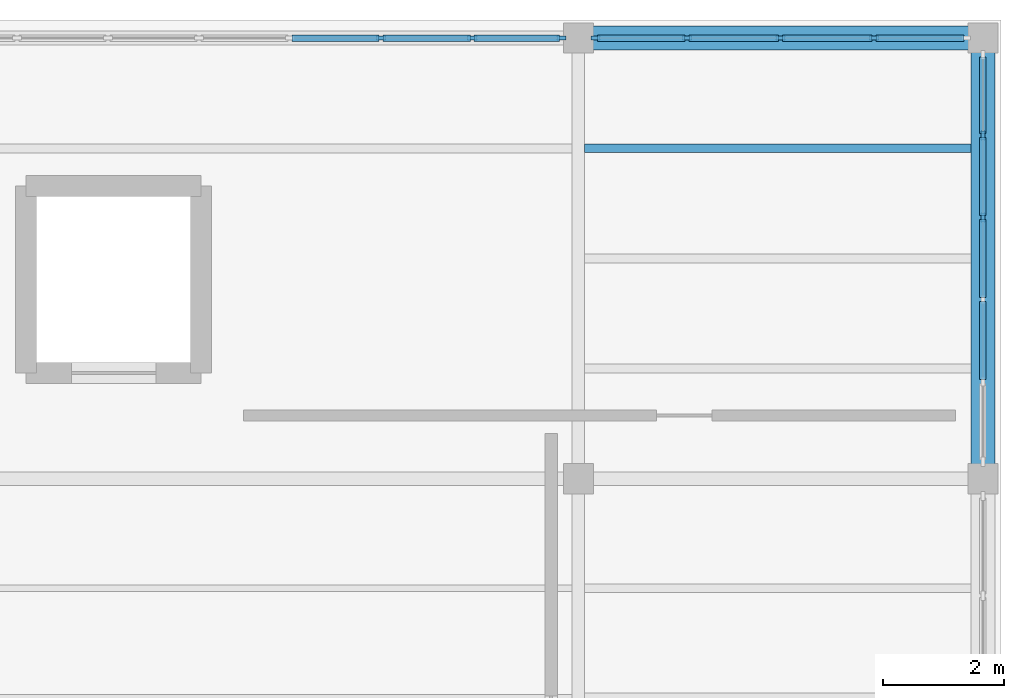
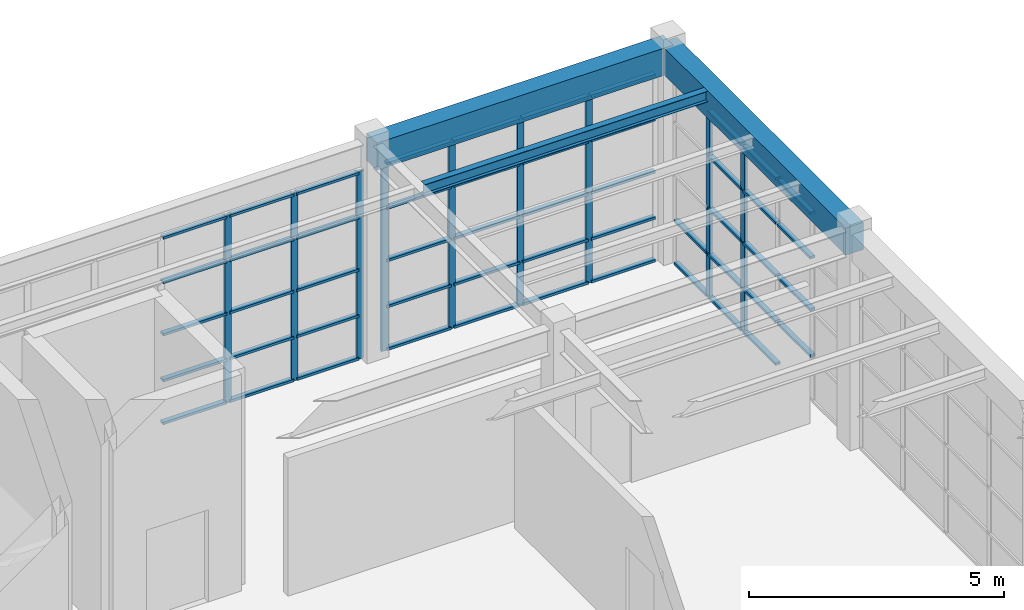
# One storey, part 60 of 103: 60 members, 3 beams, 3 elements without a shape of their own.
"""IFC4 building model written with IfcOpenShell, lengths in metres."""

import ifcopenshell
import ifcopenshell.guid

model = None  # the IFC model being written
_history = None  # IfcOwnerHistory: only IFC2X3 demands one
_inside = {}  # id of a spatial element -> (the spatial element, [elements in it])
_under = {}  # id of a project, library or spatial element -> (it, [spatial elements below it])
_declared = {}  # id of a project -> (the project, [libraries it declares])
_typed = {}  # id of a type object -> (the type object, [elements of that type])
_made_of = {}  # id of a material, layer set ... -> (it, [elements and type objects made of it])


def new_model(schema):
    """Start an empty IFC model of exactly this schema.

    Asked for "IFC4X3", IfcOpenShell would pick the latest addendum, in which some entities
    have other attributes; the version numbers below select the first issue.
    IFC2X3 requires an IfcOwnerHistory on every rooted entity: one is made here for all.
    """
    global model, _history
    if schema == "IFC4X3":
        model = ifcopenshell.file(schema_version=(4, 3, 0, 0))
    else:
        model = ifcopenshell.file(schema=schema)
    _inside.clear()
    _under.clear()
    _declared.clear()
    _typed.clear()
    _made_of.clear()
    _history = None
    if model.schema == "IFC2X3":
        org = make("IfcOrganization", Name="unknown")
        user = make(
            "IfcPersonAndOrganization",
            ThePerson=make("IfcPerson", FamilyName="unknown"),
            TheOrganization=org,
        )
        app = make(
            "IfcApplication",
            ApplicationDeveloper=org,
            Version="unknown",
            ApplicationFullName="unknown",
            ApplicationIdentifier="unknown",
        )
        _history = make(
            "IfcOwnerHistory",
            OwningUser=user,
            OwningApplication=app,
            ChangeAction="ADDED",
            CreationDate=0,
        )
    return model


def make(cls, **values):
    """One entity of the class cls with the attributes given. An attribute that is None is left unset."""
    return model.create_entity(
        cls, **{name: value for name, value in values.items() if value is not None}
    )


def rooted(cls, **values):
    """An entity with a GlobalId (a new one), such as an element, a storey or a relation."""
    return make(cls, GlobalId=ifcopenshell.guid.new(), OwnerHistory=_history, **values)


def si_unit(unit_type, name, prefix=None):
    """IfcSIUnit, for example si_unit("LENGTHUNIT", "METRE", prefix="MILLI")."""
    return make("IfcSIUnit", UnitType=unit_type, Prefix=prefix, Name=name)


def assignment(units):
    """IfcUnitAssignment: the units of a project."""
    return None if units is None else make("IfcUnitAssignment", Units=units)


def point(xyz):
    """IfcCartesianPoint."""
    return None if xyz is None else make("IfcCartesianPoint", Coordinates=xyz)


def direction(xyz):
    """IfcDirection."""
    return None if xyz is None else make("IfcDirection", DirectionRatios=xyz)


def frame(location, z_axis=None, x_axis=None):
    """IfcAxis2Placement3D, a coordinate frame: its origin and axes. An axis left out is left unset."""
    return make(
        "IfcAxis2Placement3D",
        Location=point(location),
        Axis=direction(z_axis),
        RefDirection=direction(x_axis),
    )


def frame_2d(location, x_axis=None):
    """IfcAxis2Placement2D, a coordinate frame in the plane: its origin and x axis."""
    return make(
        "IfcAxis2Placement2D", Location=point(location), RefDirection=direction(x_axis)
    )


def origin():
    """The frame at (0, 0, 0) with its axes left unset."""
    return frame((0.0, 0.0, 0.0))


def origin_2d():
    """The frame at (0, 0) in the plane with its x axis left unset."""
    return frame_2d((0.0, 0.0))


def place(relative_to, where):
    """IfcLocalPlacement: puts the frame where relative to a parent placement (None: the world)."""
    return make(
        "IfcLocalPlacement", PlacementRelTo=relative_to, RelativePlacement=where
    )


def context(
    kind, dimensions, precision=None, world=None, true_north=None, identifier=None
):
    """IfcGeometricRepresentationContext, for example the 3D "Model" context."""
    return make(
        "IfcGeometricRepresentationContext",
        ContextIdentifier=identifier,
        ContextType=kind,
        CoordinateSpaceDimension=dimensions,
        Precision=precision,
        WorldCoordinateSystem=world,
        TrueNorth=true_north,
    )


def subcontext(parent, identifier, kind, view, scale=None):
    """IfcGeometricRepresentationSubContext, for example "Body" below "Model"."""
    return make(
        "IfcGeometricRepresentationSubContext",
        ContextIdentifier=identifier,
        ContextType=kind,
        ParentContext=parent,
        TargetScale=scale,
        TargetView=view,
    )


def project(units=None, contexts=None):
    """IfcProject with its units and contexts."""
    return rooted(
        "IfcProject",
        Name="project",
        RepresentationContexts=contexts,
        UnitsInContext=assignment(units),
    )


def spatial(cls, under=None, at=None, **own):
    """A site, building, storey or space (cls), placed at a placement, below another one or the project."""
    s = rooted(cls, ObjectPlacement=at, **own)
    if under is not None:
        _under.setdefault(under.id(), (under, []))[1].append(s)
    return s


def profile(cls, at=None, kind="AREA", **sizes):
    """A parametric profile (cls). Its sizes go by their IFC names, for example OverallWidth=200.0."""
    return make(cls, ProfileType=kind, Position=at, **sizes)


def rectangle(**sizes):
    """IfcRectangleProfileDef."""
    return profile("IfcRectangleProfileDef", **sizes)


def i_section(**sizes):
    """IfcIShapeProfileDef."""
    return profile("IfcIShapeProfileDef", **sizes)


def extrude(swept, where, along, depth):
    """IfcExtrudedAreaSolid: the profile swept, set in the frame where, extruded along a direction by depth."""
    return make(
        "IfcExtrudedAreaSolid",
        SweptArea=swept,
        Position=where,
        ExtrudedDirection=direction(along),
        Depth=depth,
    )


def shape(context_of_items, identifier, shape_type, items):
    """IfcShapeRepresentation: the items that make up one representation, for example the "Body"."""
    return make(
        "IfcShapeRepresentation",
        ContextOfItems=context_of_items,
        RepresentationIdentifier=identifier,
        RepresentationType=shape_type,
        Items=items,
    )


def material(Name=None, Category=None):
    """IfcMaterial."""
    return make("IfcMaterial", Name=Name, Category=Category)


def layer(
    of_material, thickness, ventilated=None, Name=None, Category=None, Priority=None
):
    """IfcMaterialLayer: one layer of a wall or slab, of a material (None: an air gap)."""
    return make(
        "IfcMaterialLayer",
        Material=of_material,
        LayerThickness=thickness,
        IsVentilated=ventilated,
        Name=Name,
        Category=Category,
        Priority=Priority,
    )


def layer_set(layers, Name=None):
    """IfcMaterialLayerSet."""
    return make("IfcMaterialLayerSet", MaterialLayers=layers, LayerSetName=Name)


def material_profile(
    of_material, cross_section, Name=None, Category=None, Priority=None
):
    """IfcMaterialProfile: a cross section and its material."""
    return make(
        "IfcMaterialProfile",
        Name=Name,
        Material=of_material,
        Profile=cross_section,
        Priority=Priority,
        Category=Category,
    )


def profile_set(profiles, Name=None, composite=None):
    """IfcMaterialProfileSet."""
    return make(
        "IfcMaterialProfileSet",
        Name=Name,
        MaterialProfiles=profiles,
        CompositeProfile=composite,
    )


def made_of(thing, what):
    """Note that an element or type object is made of a material, layer set ...; save() writes the relation."""
    if what is not None:
        _made_of.setdefault(what.id(), (what, []))[1].append(thing)
    return thing


def type_object(cls, material=None, **own):
    """A type object (cls), such as IfcWallType, which elements share."""
    return made_of(rooted(cls, **own), material)


def element(
    cls,
    number,
    at=None,
    inside=None,
    cuts=None,
    type_object=None,
    material=None,
    context=None,
    identifier="Body",
    shape_type=None,
    held_by="IfcProductDefinitionShape",
    body=None,
    shapes=None,
    **own,
):
    """One element of the class cls, such as IfcWall. Its Tag is "e" and its number.

    at: its placement. inside: the storey or other place that contains it. cuts: it is an
    opening in that element (IfcRelVoidsElement). A single representation is given by context,
    identifier, shape_type and body (its items); several are given by shapes. held_by: the class
    of the entity that holds the representations. save() writes the other relations.
    """
    e = rooted(cls, Tag="e%d" % number, ObjectPlacement=at, **own)
    if body is not None:
        shapes = [shape(context, identifier, shape_type, body)]
    if shapes is not None:
        e.Representation = make(held_by, Representations=shapes)
    if inside is not None:
        _inside.setdefault(inside.id(), (inside, []))[1].append(e)
    if cuts is not None:
        rooted(
            "IfcRelVoidsElement", RelatingBuildingElement=cuts, RelatedOpeningElement=e
        )
    if type_object is not None:
        _typed.setdefault(type_object.id(), (type_object, []))[1].append(e)
    return made_of(e, material)


def aggregate(whole, parts):
    """IfcRelAggregates: a whole, such as a stair, and the parts it consists of."""
    return rooted("IfcRelAggregates", RelatingObject=whole, RelatedObjects=parts)


def save(model, path):
    """Write the relations noted so far, then the file.

    IfcRelAggregates (storeys below a building ...), IfcRelContainedInSpatialStructure (elements
    in a storey), IfcRelDefinesByType, IfcRelAssociatesMaterial and IfcRelDeclares: one each for
    every whole, place, type object, material and project.
    """
    for whole, parts in _under.values():
        aggregate(whole, parts)
    for where, things in _inside.values():
        rooted(
            "IfcRelContainedInSpatialStructure",
            RelatedElements=things,
            RelatingStructure=where,
        )
    for kind, things in _typed.values():
        rooted("IfcRelDefinesByType", RelatedObjects=things, RelatingType=kind)
    for what, things in _made_of.values():
        rooted("IfcRelAssociatesMaterial", RelatedObjects=things, RelatingMaterial=what)
    for by, libraries in _declared.values():
        rooted("IfcRelDeclares", RelatingContext=by, RelatedDefinitions=libraries)
    model.write(path)


model = new_model("IFC4")

# Units and contexts
model_context = context("Model", 3, precision=1e-05, world=origin(), true_north=direction((0.0, 1.0)))
body_context = subcontext(model_context, "Body", "Model", "MODEL_VIEW")
ifc_project = project(units=[si_unit("LENGTHUNIT", "METRE"), si_unit("AREAUNIT", "SQUARE_METRE"), si_unit("VOLUMEUNIT", "CUBIC_METRE"), si_unit("PLANEANGLEUNIT", "RADIAN"), si_unit("MASSUNIT", "GRAM", prefix="KILO")], contexts=[model_context])

# Site, building, storey
site_placement = place(None, origin())
site = spatial("IfcSite", under=ifc_project, at=site_placement, CompositionType="ELEMENT")
building_placement = place(site_placement, origin())
building = spatial("IfcBuilding", under=site, at=building_placement, Name="Candilejo Ridge Gondola Terminal", CompositionType="ELEMENT")
storey_placement = place(building_placement, frame((0.0, 0.0, 9.0)))
storey = spatial("IfcBuildingStorey", under=building, at=storey_placement, Name="L02", CompositionType="ELEMENT", Elevation=9.0)

# Curtain wall, members
ifc_material_1 = material(Name="Anodised aluminium AA 6063-T6", Category="aluminium")
ifc_layer_1 = layer(ifc_material_1, 0.169921875)
ifc_layer_set_1 = layer_set([ifc_layer_1], Name="ARC-CW-TOWER-3000-680X449")
curtain_wall_type_1 = type_object("IfcCurtainWallType", Name="ARC-CW-TOWER-3000-680X449", PredefinedType="NOTDEFINED", material=ifc_layer_set_1)
curtain_wall_1_placement = place(storey_placement, origin())
curtain_wall_1 = element("IfcCurtainWall", 1, at=curtain_wall_1_placement, inside=storey, type_object=curtain_wall_type_1, Name="Curtain wall V5 L02-191", PredefinedType="NOTDEFINED")
ifc_material_2 = material(Name="Anodised aluminium AA 6063-T6", Category="aluminium")
ifc_material_profile_1 = material_profile(ifc_material_2, rectangle(XDim=0.06494140625, YDim=0.14990234375, at=origin_2d()))
ifc_profile_set_1 = profile_set([ifc_material_profile_1], Name="Anodised aluminium AA 6063-T6")
member_type_1 = type_object("IfcMemberType", Name="ARC-CW-MULLION-150", PredefinedType="MULLION", material=ifc_profile_set_1)
member_1_placement = place(storey_placement, frame((175.300048828125, 117.8798828125, 0.0), z_axis=(0.0, 0.0, 1.0), x_axis=(-1.0, 0.0, 0.0)))
member_1 = element("IfcMember", 2, at=member_1_placement, type_object=member_type_1, Name="CW-68X44 mullion 4", PredefinedType="MULLION", context=body_context, shape_type="SweptSolid", body=[
    extrude(rectangle(XDim=0.06494140625, YDim=0.14990234375, at=origin_2d()), origin(), (0.0, 0.0, 1.0), 4.489990234375),
])
member_2_placement = place(storey_placement, frame((175.300048828125, 119.239990234375, 0.0), z_axis=(0.0, 0.0, 1.0), x_axis=(-1.0, 0.0, 0.0)))
member_2 = element("IfcMember", 3, at=member_2_placement, type_object=member_type_1, Name="CW-68X44 mullion 5", PredefinedType="MULLION", context=body_context, shape_type="SweptSolid", body=[
    extrude(rectangle(XDim=0.06494140625, YDim=0.14990234375, at=origin_2d()), origin(), (0.0, 0.0, 1.0), 4.489990234375),
])

ifc_material_3 = material(Name="Anodised aluminium AA 6063-T6", Category="aluminium")
ifc_layer_2 = layer(ifc_material_3, 0.169921875)
ifc_layer_set_2 = layer_set([ifc_layer_2], Name="ARC-CW-TOWER-3000-1810X449")
curtain_wall_type_2 = type_object("IfcCurtainWallType", Name="ARC-CW-TOWER-3000-1810X449", PredefinedType="NOTDEFINED", material=ifc_layer_set_2)
curtain_wall_2_placement = place(storey_placement, origin())
curtain_wall_2 = element("IfcCurtainWall", 4, at=curtain_wall_2_placement, inside=storey, type_object=curtain_wall_type_2, Name="Curtain wall V5 L02-193", PredefinedType="NOTDEFINED")
member_3_placement = place(storey_placement, frame((165.333251953125, 120.85009765625, 0.0), z_axis=(0.0, 0.0, 1.0), x_axis=(0.0, 1.0, 0.0)))
member_3 = element("IfcMember", 5, at=member_3_placement, type_object=member_type_1, Name="CW-181X44 mullion 11", PredefinedType="MULLION", context=body_context, shape_type="SweptSolid", body=[
    extrude(rectangle(XDim=0.06494140625, YDim=0.14990234375, at=origin_2d()), origin(), (0.0, 0.0, 1.0), 4.489990234375),
])
member_4_placement = place(storey_placement, frame((166.841552734375, 120.85009765625, 0.0), z_axis=(0.0, 0.0, 1.0), x_axis=(0.0, 1.0, 0.0)))
member_4 = element("IfcMember", 6, at=member_4_placement, type_object=member_type_1, Name="CW-181X44 mullion 12", PredefinedType="MULLION", context=body_context, shape_type="SweptSolid", body=[
    extrude(rectangle(XDim=0.06494140625, YDim=0.14990234375, at=origin_2d()), origin(), (0.0, 0.0, 1.0), 4.489990234375),
])
member_5_placement = place(storey_placement, frame((168.3173828125, 120.85009765625, 0.0), z_axis=(0.0, 0.0, 1.0), x_axis=(0.0, 1.0, 0.0)))
member_5 = element("IfcMember", 7, at=member_5_placement, type_object=member_type_1, Name="CW-181X44 mullion 13", PredefinedType="MULLION", context=body_context, shape_type="SweptSolid", body=[
    extrude(rectangle(XDim=0.06494140625, YDim=0.14990234375, at=origin_2d()), origin(), (0.0, 0.0, 1.0), 4.489990234375),
])

ifc_material_4 = material(Name="Anodised aluminium AA 6063-T6", Category="aluminium")
ifc_layer_3 = layer(ifc_material_4, 0.169921875)
ifc_layer_set_3 = layer_set([ifc_layer_3], Name="ARC-CW-TOWER-3000-620X449")
curtain_wall_type_3 = type_object("IfcCurtainWallType", Name="ARC-CW-TOWER-3000-620X449", PredefinedType="NOTDEFINED", material=ifc_layer_set_3)
curtain_wall_3_placement = place(storey_placement, origin())
curtain_wall_3 = element("IfcCurtainWall", 8, at=curtain_wall_3_placement, inside=storey, type_object=curtain_wall_type_3, Name="Curtain wall V5 L02-195", PredefinedType="NOTDEFINED")
member_6_placement = place(storey_placement, frame((168.882568359375, 120.85009765625, 0.0), z_axis=(0.0, 0.0, 1.0), x_axis=(0.0, 1.0, 0.0)))
member_6 = element("IfcMember", 9, at=member_6_placement, type_object=member_type_1, Name="CW-62X44 mullion 1", PredefinedType="MULLION", context=body_context, shape_type="SweptSolid", body=[
    extrude(rectangle(XDim=0.06494140625, YDim=0.14990234375, at=origin_2d()), origin(), (0.0, 0.0, 1.0), 4.489990234375),
])
member_7_placement = place(storey_placement, frame((170.39990234375, 120.85009765625, 0.0), z_axis=(0.0, 0.0, 1.0), x_axis=(0.0, 1.0, 0.0)))
member_7 = element("IfcMember", 10, at=member_7_placement, type_object=member_type_1, Name="CW-62X44 mullion 2", PredefinedType="MULLION", context=body_context, shape_type="SweptSolid", body=[
    extrude(rectangle(XDim=0.06494140625, YDim=0.14990234375, at=origin_2d()), origin(), (0.0, 0.0, 1.0), 4.489990234375),
])
member_8_placement = place(storey_placement, frame((171.949951171875, 120.85009765625, 0.0), z_axis=(0.0, 0.0, 1.0), x_axis=(0.0, 1.0, 0.0)))
member_8 = element("IfcMember", 11, at=member_8_placement, type_object=member_type_1, Name="CW-62X44 mullion 3", PredefinedType="MULLION", context=body_context, shape_type="SweptSolid", body=[
    extrude(rectangle(XDim=0.06494140625, YDim=0.14990234375, at=origin_2d()), origin(), (0.0, 0.0, 1.0), 4.489990234375),
])
member_9_placement = place(storey_placement, frame((173.5, 120.85009765625, 0.0), z_axis=(0.0, 0.0, 1.0), x_axis=(0.0, 1.0, 0.0)))
member_9 = element("IfcMember", 12, at=member_9_placement, type_object=member_type_1, Name="CW-62X44 mullion 4", PredefinedType="MULLION", context=body_context, shape_type="SweptSolid", body=[
    extrude(rectangle(XDim=0.06494140625, YDim=0.14990234375, at=origin_2d()), origin(), (0.0, 0.0, 1.0), 4.489990234375),
])

# Member
ifc_material_5 = material(Name="Anodised aluminium AA 6063-T6", Category="aluminium")
ifc_material_profile_2 = material_profile(ifc_material_5, rectangle(XDim=0.110107421875, YDim=0.06005859375, at=origin_2d()))
ifc_profile_set_2 = profile_set([ifc_material_profile_2], Name="Anodised aluminium AA 6063-T6")
member_type_2 = type_object("IfcMemberType", Name="ARC-CW-TRANSOM-110", PredefinedType="USERDEFINED", material=ifc_profile_set_2)
member_10_placement = place(storey_placement, frame((175.300048828125, 115.1923828125, 1.050048828125), z_axis=(0.0, 1.0, 0.0), x_axis=(-1.0, 0.0, 0.0)))
member_10 = element("IfcMember", 13, at=member_10_placement, type_object=member_type_2, Name="CW-68X44 transom 2.2", ObjectType="TRANSOM", PredefinedType="USERDEFINED", context=body_context, shape_type="SweptSolid", body=[
    extrude(rectangle(XDim=0.110107421875, YDim=0.06005859375, at=origin_2d()), origin(), (0.0, 0.0, 1.0), 1.295166015625),
])

member_11_placement = place(storey_placement, frame((175.300048828125, 115.1923828125, 2.14990234375), z_axis=(0.0, 1.0, 0.0), x_axis=(-1.0, 0.0, 0.0)))
member_11 = element("IfcMember", 14, at=member_11_placement, type_object=member_type_2, Name="CW-68X44 transom 2.3", ObjectType="TRANSOM", PredefinedType="USERDEFINED", context=body_context, shape_type="SweptSolid", body=[
    extrude(rectangle(XDim=0.110107421875, YDim=0.06005859375, at=origin_2d()), origin(), (0.0, 0.0, 1.0), 1.295166015625),
])

member_12_placement = place(storey_placement, frame((175.300048828125, 115.1923828125, 3.39990234375), z_axis=(0.0, 1.0, 0.0), x_axis=(-1.0, 0.0, 0.0)))
member_12 = element("IfcMember", 15, at=member_12_placement, type_object=member_type_2, Name="CW-68X44 transom 2.4", ObjectType="TRANSOM", PredefinedType="USERDEFINED", context=body_context, shape_type="SweptSolid", body=[
    extrude(rectangle(XDim=0.110107421875, YDim=0.06005859375, at=origin_2d()), origin(), (0.0, 0.0, 1.0), 1.295166015625),
])

member_13_placement = place(storey_placement, frame((175.300048828125, 115.1923828125, 4.4599609375), z_axis=(0.0, 1.0, 0.0), x_axis=(-1.0, 0.0, 0.0)))
member_13 = element("IfcMember", 16, at=member_13_placement, type_object=member_type_2, Name="CW-68X44 transom 2.5", ObjectType="TRANSOM", PredefinedType="USERDEFINED", context=body_context, shape_type="SweptSolid", body=[
    extrude(rectangle(XDim=0.110107421875, YDim=0.06005859375, at=origin_2d()), origin(), (0.0, 0.0, 1.0), 1.295166015625),
])

member_14_placement = place(storey_placement, frame((175.300048828125, 116.552490234375, 0.030029296875), z_axis=(0.0, 1.0, 0.0), x_axis=(-1.0, 0.0, 0.0)))
member_14 = element("IfcMember", 17, at=member_14_placement, type_object=member_type_2, Name="CW-68X44 transom 3.1", ObjectType="TRANSOM", PredefinedType="USERDEFINED", context=body_context, shape_type="SweptSolid", body=[
    extrude(rectangle(XDim=0.110107421875, YDim=0.06005859375, at=origin_2d()), origin(), (0.0, 0.0, 1.0), 1.294921875),
])

member_15_placement = place(storey_placement, frame((175.300048828125, 116.552490234375, 1.050048828125), z_axis=(0.0, 1.0, 0.0), x_axis=(-1.0, 0.0, 0.0)))
member_15 = element("IfcMember", 18, at=member_15_placement, type_object=member_type_2, Name="CW-68X44 transom 3.2", ObjectType="TRANSOM", PredefinedType="USERDEFINED", context=body_context, shape_type="SweptSolid", body=[
    extrude(rectangle(XDim=0.110107421875, YDim=0.06005859375, at=origin_2d()), origin(), (0.0, 0.0, 1.0), 1.294921875),
])

member_16_placement = place(storey_placement, frame((175.300048828125, 116.552490234375, 2.14990234375), z_axis=(0.0, 1.0, 0.0), x_axis=(-1.0, 0.0, 0.0)))
member_16 = element("IfcMember", 19, at=member_16_placement, type_object=member_type_2, Name="CW-68X44 transom 3.3", ObjectType="TRANSOM", PredefinedType="USERDEFINED", context=body_context, shape_type="SweptSolid", body=[
    extrude(rectangle(XDim=0.110107421875, YDim=0.06005859375, at=origin_2d()), origin(), (0.0, 0.0, 1.0), 1.294921875),
])

member_17_placement = place(storey_placement, frame((175.300048828125, 116.552490234375, 3.39990234375), z_axis=(0.0, 1.0, 0.0), x_axis=(-1.0, 0.0, 0.0)))
member_17 = element("IfcMember", 20, at=member_17_placement, type_object=member_type_2, Name="CW-68X44 transom 3.4", ObjectType="TRANSOM", PredefinedType="USERDEFINED", context=body_context, shape_type="SweptSolid", body=[
    extrude(rectangle(XDim=0.110107421875, YDim=0.06005859375, at=origin_2d()), origin(), (0.0, 0.0, 1.0), 1.294921875),
])

member_18_placement = place(storey_placement, frame((175.300048828125, 116.552490234375, 4.4599609375), z_axis=(0.0, 1.0, 0.0), x_axis=(-1.0, 0.0, 0.0)))
member_18 = element("IfcMember", 21, at=member_18_placement, type_object=member_type_2, Name="CW-68X44 transom 3.5", ObjectType="TRANSOM", PredefinedType="USERDEFINED", context=body_context, shape_type="SweptSolid", body=[
    extrude(rectangle(XDim=0.110107421875, YDim=0.06005859375, at=origin_2d()), origin(), (0.0, 0.0, 1.0), 1.294921875),
])

member_19_placement = place(storey_placement, frame((175.300048828125, 117.91259765625, 0.030029296875), z_axis=(0.0, 1.0, 0.0), x_axis=(-1.0, 0.0, 0.0)))
member_19 = element("IfcMember", 22, at=member_19_placement, type_object=member_type_2, Name="CW-68X44 transom 4.1", ObjectType="TRANSOM", PredefinedType="USERDEFINED", context=body_context, shape_type="SweptSolid", body=[
    extrude(rectangle(XDim=0.110107421875, YDim=0.06005859375, at=origin_2d()), origin(), (0.0, 0.0, 1.0), 1.294921875),
])

member_20_placement = place(storey_placement, frame((175.300048828125, 117.91259765625, 1.050048828125), z_axis=(0.0, 1.0, 0.0), x_axis=(-1.0, 0.0, 0.0)))
member_20 = element("IfcMember", 23, at=member_20_placement, type_object=member_type_2, Name="CW-68X44 transom 4.2", ObjectType="TRANSOM", PredefinedType="USERDEFINED", context=body_context, shape_type="SweptSolid", body=[
    extrude(rectangle(XDim=0.110107421875, YDim=0.06005859375, at=origin_2d()), origin(), (0.0, 0.0, 1.0), 1.294921875),
])

member_21_placement = place(storey_placement, frame((175.300048828125, 117.91259765625, 2.14990234375), z_axis=(0.0, 1.0, 0.0), x_axis=(-1.0, 0.0, 0.0)))
member_21 = element("IfcMember", 24, at=member_21_placement, type_object=member_type_2, Name="CW-68X44 transom 4.3", ObjectType="TRANSOM", PredefinedType="USERDEFINED", context=body_context, shape_type="SweptSolid", body=[
    extrude(rectangle(XDim=0.110107421875, YDim=0.06005859375, at=origin_2d()), origin(), (0.0, 0.0, 1.0), 1.294921875),
])

member_22_placement = place(storey_placement, frame((175.300048828125, 117.91259765625, 3.39990234375), z_axis=(0.0, 1.0, 0.0), x_axis=(-1.0, 0.0, 0.0)))
member_22 = element("IfcMember", 25, at=member_22_placement, type_object=member_type_2, Name="CW-68X44 transom 4.4", ObjectType="TRANSOM", PredefinedType="USERDEFINED", context=body_context, shape_type="SweptSolid", body=[
    extrude(rectangle(XDim=0.110107421875, YDim=0.06005859375, at=origin_2d()), origin(), (0.0, 0.0, 1.0), 1.294921875),
])

member_23_placement = place(storey_placement, frame((175.300048828125, 117.91259765625, 4.4599609375), z_axis=(0.0, 1.0, 0.0), x_axis=(-1.0, 0.0, 0.0)))
member_23 = element("IfcMember", 26, at=member_23_placement, type_object=member_type_2, Name="CW-68X44 transom 4.5", ObjectType="TRANSOM", PredefinedType="USERDEFINED", context=body_context, shape_type="SweptSolid", body=[
    extrude(rectangle(XDim=0.110107421875, YDim=0.06005859375, at=origin_2d()), origin(), (0.0, 0.0, 1.0), 1.294921875),
])

member_24_placement = place(storey_placement, frame((175.300048828125, 119.2724609375, 0.030029296875), z_axis=(0.0, 1.0, 0.0), x_axis=(-1.0, 0.0, 0.0)))
member_24 = element("IfcMember", 27, at=member_24_placement, type_object=member_type_2, Name="CW-68X44 transom 5.1", ObjectType="TRANSOM", PredefinedType="USERDEFINED", context=body_context, shape_type="SweptSolid", body=[
    extrude(rectangle(XDim=0.110107421875, YDim=0.06005859375, at=origin_2d()), origin(), (0.0, 0.0, 1.0), 1.262451171875),
])

member_25_placement = place(storey_placement, frame((175.300048828125, 119.2724609375, 1.050048828125), z_axis=(0.0, 1.0, 0.0), x_axis=(-1.0, 0.0, 0.0)))
member_25 = element("IfcMember", 28, at=member_25_placement, type_object=member_type_2, Name="CW-68X44 transom 5.2", ObjectType="TRANSOM", PredefinedType="USERDEFINED", context=body_context, shape_type="SweptSolid", body=[
    extrude(rectangle(XDim=0.110107421875, YDim=0.06005859375, at=origin_2d()), origin(), (0.0, 0.0, 1.0), 1.262451171875),
])

aggregate(curtain_wall_1, [member_1, member_2, member_10, member_11, member_12, member_13, member_14, member_15, member_16, member_17, member_18, member_19, member_20, member_21, member_22, member_23, member_24, member_25])

member_26_placement = place(storey_placement, frame((163.857421875, 120.85009765625, 0.030029296875), z_axis=(1.0, 0.0, 0.0), x_axis=(0.0, 1.0, 0.0)))
member_26 = element("IfcMember", 29, at=member_26_placement, type_object=member_type_2, Name="CW-181X44 transom 10.1", ObjectType="TRANSOM", PredefinedType="USERDEFINED", context=body_context, shape_type="SweptSolid", body=[
    extrude(rectangle(XDim=0.110107421875, YDim=0.06005859375, at=origin_2d()), origin(), (0.0, 0.0, 1.0), 1.443359375),
])

member_27_placement = place(storey_placement, frame((163.857421875, 120.85009765625, 1.050048828125), z_axis=(1.0, 0.0, 0.0), x_axis=(0.0, 1.0, 0.0)))
member_27 = element("IfcMember", 30, at=member_27_placement, type_object=member_type_2, Name="CW-181X44 transom 10.2", ObjectType="TRANSOM", PredefinedType="USERDEFINED", context=body_context, shape_type="SweptSolid", body=[
    extrude(rectangle(XDim=0.110107421875, YDim=0.06005859375, at=origin_2d()), origin(), (0.0, 0.0, 1.0), 1.443359375),
])

member_28_placement = place(storey_placement, frame((163.857421875, 120.85009765625, 2.14990234375), z_axis=(1.0, 0.0, 0.0), x_axis=(0.0, 1.0, 0.0)))
member_28 = element("IfcMember", 31, at=member_28_placement, type_object=member_type_2, Name="CW-181X44 transom 10.3", ObjectType="TRANSOM", PredefinedType="USERDEFINED", context=body_context, shape_type="SweptSolid", body=[
    extrude(rectangle(XDim=0.110107421875, YDim=0.06005859375, at=origin_2d()), origin(), (0.0, 0.0, 1.0), 1.443359375),
])

member_29_placement = place(storey_placement, frame((163.857421875, 120.85009765625, 3.39990234375), z_axis=(1.0, 0.0, 0.0), x_axis=(0.0, 1.0, 0.0)))
member_29 = element("IfcMember", 32, at=member_29_placement, type_object=member_type_2, Name="CW-181X44 transom 10.4", ObjectType="TRANSOM", PredefinedType="USERDEFINED", context=body_context, shape_type="SweptSolid", body=[
    extrude(rectangle(XDim=0.110107421875, YDim=0.06005859375, at=origin_2d()), origin(), (0.0, 0.0, 1.0), 1.443359375),
])

member_30_placement = place(storey_placement, frame((163.857421875, 120.85009765625, 4.4599609375), z_axis=(1.0, 0.0, 0.0), x_axis=(0.0, 1.0, 0.0)))
member_30 = element("IfcMember", 33, at=member_30_placement, type_object=member_type_2, Name="CW-181X44 transom 10.5", ObjectType="TRANSOM", PredefinedType="USERDEFINED", context=body_context, shape_type="SweptSolid", body=[
    extrude(rectangle(XDim=0.110107421875, YDim=0.06005859375, at=origin_2d()), origin(), (0.0, 0.0, 1.0), 1.443359375),
])

member_31_placement = place(storey_placement, frame((165.36572265625, 120.85009765625, 0.030029296875), z_axis=(1.0, 0.0, 0.0), x_axis=(0.0, 1.0, 0.0)))
member_31 = element("IfcMember", 34, at=member_31_placement, type_object=member_type_2, Name="CW-181X44 transom 11.1", ObjectType="TRANSOM", PredefinedType="USERDEFINED", context=body_context, shape_type="SweptSolid", body=[
    extrude(rectangle(XDim=0.110107421875, YDim=0.06005859375, at=origin_2d()), origin(), (0.0, 0.0, 1.0), 1.443359375),
])

member_32_placement = place(storey_placement, frame((165.36572265625, 120.85009765625, 1.050048828125), z_axis=(1.0, 0.0, 0.0), x_axis=(0.0, 1.0, 0.0)))
member_32 = element("IfcMember", 35, at=member_32_placement, type_object=member_type_2, Name="CW-181X44 transom 11.2", ObjectType="TRANSOM", PredefinedType="USERDEFINED", context=body_context, shape_type="SweptSolid", body=[
    extrude(rectangle(XDim=0.110107421875, YDim=0.06005859375, at=origin_2d()), origin(), (0.0, 0.0, 1.0), 1.443359375),
])

member_33_placement = place(storey_placement, frame((165.36572265625, 120.85009765625, 2.14990234375), z_axis=(1.0, 0.0, 0.0), x_axis=(0.0, 1.0, 0.0)))
member_33 = element("IfcMember", 36, at=member_33_placement, type_object=member_type_2, Name="CW-181X44 transom 11.3", ObjectType="TRANSOM", PredefinedType="USERDEFINED", context=body_context, shape_type="SweptSolid", body=[
    extrude(rectangle(XDim=0.110107421875, YDim=0.06005859375, at=origin_2d()), origin(), (0.0, 0.0, 1.0), 1.443359375),
])

member_34_placement = place(storey_placement, frame((165.36572265625, 120.85009765625, 3.39990234375), z_axis=(1.0, 0.0, 0.0), x_axis=(0.0, 1.0, 0.0)))
member_34 = element("IfcMember", 37, at=member_34_placement, type_object=member_type_2, Name="CW-181X44 transom 11.4", ObjectType="TRANSOM", PredefinedType="USERDEFINED", context=body_context, shape_type="SweptSolid", body=[
    extrude(rectangle(XDim=0.110107421875, YDim=0.06005859375, at=origin_2d()), origin(), (0.0, 0.0, 1.0), 1.443359375),
])

member_35_placement = place(storey_placement, frame((165.36572265625, 120.85009765625, 4.4599609375), z_axis=(1.0, 0.0, 0.0), x_axis=(0.0, 1.0, 0.0)))
member_35 = element("IfcMember", 38, at=member_35_placement, type_object=member_type_2, Name="CW-181X44 transom 11.5", ObjectType="TRANSOM", PredefinedType="USERDEFINED", context=body_context, shape_type="SweptSolid", body=[
    extrude(rectangle(XDim=0.110107421875, YDim=0.06005859375, at=origin_2d()), origin(), (0.0, 0.0, 1.0), 1.443359375),
])

member_36_placement = place(storey_placement, frame((166.874267578125, 120.85009765625, 0.030029296875), z_axis=(1.0, 0.0, 0.0), x_axis=(0.0, 1.0, 0.0)))
member_36 = element("IfcMember", 39, at=member_36_placement, type_object=member_type_2, Name="CW-181X44 transom 12.1", ObjectType="TRANSOM", PredefinedType="USERDEFINED", context=body_context, shape_type="SweptSolid", body=[
    extrude(rectangle(XDim=0.110107421875, YDim=0.06005859375, at=origin_2d()), origin(), (0.0, 0.0, 1.0), 1.41064453125),
])

member_37_placement = place(storey_placement, frame((166.874267578125, 120.85009765625, 1.050048828125), z_axis=(1.0, 0.0, 0.0), x_axis=(0.0, 1.0, 0.0)))
member_37 = element("IfcMember", 40, at=member_37_placement, type_object=member_type_2, Name="CW-181X44 transom 12.2", ObjectType="TRANSOM", PredefinedType="USERDEFINED", context=body_context, shape_type="SweptSolid", body=[
    extrude(rectangle(XDim=0.110107421875, YDim=0.06005859375, at=origin_2d()), origin(), (0.0, 0.0, 1.0), 1.41064453125),
])

member_38_placement = place(storey_placement, frame((166.874267578125, 120.85009765625, 2.14990234375), z_axis=(1.0, 0.0, 0.0), x_axis=(0.0, 1.0, 0.0)))
member_38 = element("IfcMember", 41, at=member_38_placement, type_object=member_type_2, Name="CW-181X44 transom 12.3", ObjectType="TRANSOM", PredefinedType="USERDEFINED", context=body_context, shape_type="SweptSolid", body=[
    extrude(rectangle(XDim=0.110107421875, YDim=0.06005859375, at=origin_2d()), origin(), (0.0, 0.0, 1.0), 1.41064453125),
])

member_39_placement = place(storey_placement, frame((166.874267578125, 120.85009765625, 3.39990234375), z_axis=(1.0, 0.0, 0.0), x_axis=(0.0, 1.0, 0.0)))
member_39 = element("IfcMember", 42, at=member_39_placement, type_object=member_type_2, Name="CW-181X44 transom 12.4", ObjectType="TRANSOM", PredefinedType="USERDEFINED", context=body_context, shape_type="SweptSolid", body=[
    extrude(rectangle(XDim=0.110107421875, YDim=0.06005859375, at=origin_2d()), origin(), (0.0, 0.0, 1.0), 1.41064453125),
])

member_40_placement = place(storey_placement, frame((166.874267578125, 120.85009765625, 4.4599609375), z_axis=(1.0, 0.0, 0.0), x_axis=(0.0, 1.0, 0.0)))
member_40 = element("IfcMember", 43, at=member_40_placement, type_object=member_type_2, Name="CW-181X44 transom 12.5", ObjectType="TRANSOM", PredefinedType="USERDEFINED", context=body_context, shape_type="SweptSolid", body=[
    extrude(rectangle(XDim=0.110107421875, YDim=0.06005859375, at=origin_2d()), origin(), (0.0, 0.0, 1.0), 1.41064453125),
])

aggregate(curtain_wall_2, [member_3, member_4, member_5, member_26, member_27, member_28, member_29, member_30, member_31, member_32, member_33, member_34, member_35, member_36, member_37, member_38, member_39, member_40])

member_41_placement = place(storey_placement, frame((168.9150390625, 120.85009765625, 0.030029296875), z_axis=(1.0, 0.0, 0.0), x_axis=(0.0, 1.0, 0.0)))
member_41 = element("IfcMember", 44, at=member_41_placement, type_object=member_type_2, Name="CW-62X44 transom 1.1", ObjectType="TRANSOM", PredefinedType="USERDEFINED", context=body_context, shape_type="SweptSolid", body=[
    extrude(rectangle(XDim=0.110107421875, YDim=0.06005859375, at=origin_2d()), origin(), (0.0, 0.0, 1.0), 1.452392578125),
])

member_42_placement = place(storey_placement, frame((168.9150390625, 120.85009765625, 1.050048828125), z_axis=(1.0, 0.0, 0.0), x_axis=(0.0, 1.0, 0.0)))
member_42 = element("IfcMember", 45, at=member_42_placement, type_object=member_type_2, Name="CW-62X44 transom 1.2", ObjectType="TRANSOM", PredefinedType="USERDEFINED", context=body_context, shape_type="SweptSolid", body=[
    extrude(rectangle(XDim=0.110107421875, YDim=0.06005859375, at=origin_2d()), origin(), (0.0, 0.0, 1.0), 1.452392578125),
])

member_43_placement = place(storey_placement, frame((168.9150390625, 120.85009765625, 2.14990234375), z_axis=(1.0, 0.0, 0.0), x_axis=(0.0, 1.0, 0.0)))
member_43 = element("IfcMember", 46, at=member_43_placement, type_object=member_type_2, Name="CW-62X44 transom 1.3", ObjectType="TRANSOM", PredefinedType="USERDEFINED", context=body_context, shape_type="SweptSolid", body=[
    extrude(rectangle(XDim=0.110107421875, YDim=0.06005859375, at=origin_2d()), origin(), (0.0, 0.0, 1.0), 1.452392578125),
])

member_44_placement = place(storey_placement, frame((168.9150390625, 120.85009765625, 3.39990234375), z_axis=(1.0, 0.0, 0.0), x_axis=(0.0, 1.0, 0.0)))
member_44 = element("IfcMember", 47, at=member_44_placement, type_object=member_type_2, Name="CW-62X44 transom 1.4", ObjectType="TRANSOM", PredefinedType="USERDEFINED", context=body_context, shape_type="SweptSolid", body=[
    extrude(rectangle(XDim=0.110107421875, YDim=0.06005859375, at=origin_2d()), origin(), (0.0, 0.0, 1.0), 1.452392578125),
])

member_45_placement = place(storey_placement, frame((168.9150390625, 120.85009765625, 4.4599609375), z_axis=(1.0, 0.0, 0.0), x_axis=(0.0, 1.0, 0.0)))
member_45 = element("IfcMember", 48, at=member_45_placement, type_object=member_type_2, Name="CW-62X44 transom 1.5", ObjectType="TRANSOM", PredefinedType="USERDEFINED", context=body_context, shape_type="SweptSolid", body=[
    extrude(rectangle(XDim=0.110107421875, YDim=0.06005859375, at=origin_2d()), origin(), (0.0, 0.0, 1.0), 1.452392578125),
])

member_46_placement = place(storey_placement, frame((170.4326171875, 120.85009765625, 0.030029296875), z_axis=(1.0, 0.0, 0.0), x_axis=(0.0, 1.0, 0.0)))
member_46 = element("IfcMember", 49, at=member_46_placement, type_object=member_type_2, Name="CW-62X44 transom 2.1", ObjectType="TRANSOM", PredefinedType="USERDEFINED", context=body_context, shape_type="SweptSolid", body=[
    extrude(rectangle(XDim=0.110107421875, YDim=0.06005859375, at=origin_2d()), origin(), (0.0, 0.0, 1.0), 1.48486328125),
])

member_47_placement = place(storey_placement, frame((170.4326171875, 120.85009765625, 1.050048828125), z_axis=(1.0, 0.0, 0.0), x_axis=(0.0, 1.0, 0.0)))
member_47 = element("IfcMember", 50, at=member_47_placement, type_object=member_type_2, Name="CW-62X44 transom 2.2", ObjectType="TRANSOM", PredefinedType="USERDEFINED", context=body_context, shape_type="SweptSolid", body=[
    extrude(rectangle(XDim=0.110107421875, YDim=0.06005859375, at=origin_2d()), origin(), (0.0, 0.0, 1.0), 1.48486328125),
])

member_48_placement = place(storey_placement, frame((170.4326171875, 120.85009765625, 2.14990234375), z_axis=(1.0, 0.0, 0.0), x_axis=(0.0, 1.0, 0.0)))
member_48 = element("IfcMember", 51, at=member_48_placement, type_object=member_type_2, Name="CW-62X44 transom 2.3", ObjectType="TRANSOM", PredefinedType="USERDEFINED", context=body_context, shape_type="SweptSolid", body=[
    extrude(rectangle(XDim=0.110107421875, YDim=0.06005859375, at=origin_2d()), origin(), (0.0, 0.0, 1.0), 1.48486328125),
])

member_49_placement = place(storey_placement, frame((170.4326171875, 120.85009765625, 3.39990234375), z_axis=(1.0, 0.0, 0.0), x_axis=(0.0, 1.0, 0.0)))
member_49 = element("IfcMember", 52, at=member_49_placement, type_object=member_type_2, Name="CW-62X44 transom 2.4", ObjectType="TRANSOM", PredefinedType="USERDEFINED", context=body_context, shape_type="SweptSolid", body=[
    extrude(rectangle(XDim=0.110107421875, YDim=0.06005859375, at=origin_2d()), origin(), (0.0, 0.0, 1.0), 1.48486328125),
])

member_50_placement = place(storey_placement, frame((170.4326171875, 120.85009765625, 4.4599609375), z_axis=(1.0, 0.0, 0.0), x_axis=(0.0, 1.0, 0.0)))
member_50 = element("IfcMember", 53, at=member_50_placement, type_object=member_type_2, Name="CW-62X44 transom 2.5", ObjectType="TRANSOM", PredefinedType="USERDEFINED", context=body_context, shape_type="SweptSolid", body=[
    extrude(rectangle(XDim=0.110107421875, YDim=0.06005859375, at=origin_2d()), origin(), (0.0, 0.0, 1.0), 1.48486328125),
])

member_51_placement = place(storey_placement, frame((171.982421875, 120.85009765625, 0.030029296875), z_axis=(1.0, 0.0, 0.0), x_axis=(0.0, 1.0, 0.0)))
member_51 = element("IfcMember", 54, at=member_51_placement, type_object=member_type_2, Name="CW-62X44 transom 3.1", ObjectType="TRANSOM", PredefinedType="USERDEFINED", context=body_context, shape_type="SweptSolid", body=[
    extrude(rectangle(XDim=0.110107421875, YDim=0.06005859375, at=origin_2d()), origin(), (0.0, 0.0, 1.0), 1.485107421875),
])

member_52_placement = place(storey_placement, frame((171.982421875, 120.85009765625, 1.050048828125), z_axis=(1.0, 0.0, 0.0), x_axis=(0.0, 1.0, 0.0)))
member_52 = element("IfcMember", 55, at=member_52_placement, type_object=member_type_2, Name="CW-62X44 transom 3.2", ObjectType="TRANSOM", PredefinedType="USERDEFINED", context=body_context, shape_type="SweptSolid", body=[
    extrude(rectangle(XDim=0.110107421875, YDim=0.06005859375, at=origin_2d()), origin(), (0.0, 0.0, 1.0), 1.485107421875),
])

member_53_placement = place(storey_placement, frame((171.982421875, 120.85009765625, 2.14990234375), z_axis=(1.0, 0.0, 0.0), x_axis=(0.0, 1.0, 0.0)))
member_53 = element("IfcMember", 56, at=member_53_placement, type_object=member_type_2, Name="CW-62X44 transom 3.3", ObjectType="TRANSOM", PredefinedType="USERDEFINED", context=body_context, shape_type="SweptSolid", body=[
    extrude(rectangle(XDim=0.110107421875, YDim=0.06005859375, at=origin_2d()), origin(), (0.0, 0.0, 1.0), 1.485107421875),
])

member_54_placement = place(storey_placement, frame((171.982421875, 120.85009765625, 3.39990234375), z_axis=(1.0, 0.0, 0.0), x_axis=(0.0, 1.0, 0.0)))
member_54 = element("IfcMember", 57, at=member_54_placement, type_object=member_type_2, Name="CW-62X44 transom 3.4", ObjectType="TRANSOM", PredefinedType="USERDEFINED", context=body_context, shape_type="SweptSolid", body=[
    extrude(rectangle(XDim=0.110107421875, YDim=0.06005859375, at=origin_2d()), origin(), (0.0, 0.0, 1.0), 1.485107421875),
])

member_55_placement = place(storey_placement, frame((171.982421875, 120.85009765625, 4.4599609375), z_axis=(1.0, 0.0, 0.0), x_axis=(0.0, 1.0, 0.0)))
member_55 = element("IfcMember", 58, at=member_55_placement, type_object=member_type_2, Name="CW-62X44 transom 3.5", ObjectType="TRANSOM", PredefinedType="USERDEFINED", context=body_context, shape_type="SweptSolid", body=[
    extrude(rectangle(XDim=0.110107421875, YDim=0.06005859375, at=origin_2d()), origin(), (0.0, 0.0, 1.0), 1.485107421875),
])

member_56_placement = place(storey_placement, frame((173.532470703125, 120.85009765625, 0.030029296875), z_axis=(1.0, 0.0, 0.0), x_axis=(0.0, 1.0, 0.0)))
member_56 = element("IfcMember", 59, at=member_56_placement, type_object=member_type_2, Name="CW-62X44 transom 4.1", ObjectType="TRANSOM", PredefinedType="USERDEFINED", context=body_context, shape_type="SweptSolid", body=[
    extrude(rectangle(XDim=0.110107421875, YDim=0.06005859375, at=origin_2d()), origin(), (0.0, 0.0, 1.0), 1.45263671875),
])

member_57_placement = place(storey_placement, frame((173.532470703125, 120.85009765625, 1.050048828125), z_axis=(1.0, 0.0, 0.0), x_axis=(0.0, 1.0, 0.0)))
member_57 = element("IfcMember", 60, at=member_57_placement, type_object=member_type_2, Name="CW-62X44 transom 4.2", ObjectType="TRANSOM", PredefinedType="USERDEFINED", context=body_context, shape_type="SweptSolid", body=[
    extrude(rectangle(XDim=0.110107421875, YDim=0.06005859375, at=origin_2d()), origin(), (0.0, 0.0, 1.0), 1.45263671875),
])

member_58_placement = place(storey_placement, frame((173.532470703125, 120.85009765625, 2.14990234375), z_axis=(1.0, 0.0, 0.0), x_axis=(0.0, 1.0, 0.0)))
member_58 = element("IfcMember", 61, at=member_58_placement, type_object=member_type_2, Name="CW-62X44 transom 4.3", ObjectType="TRANSOM", PredefinedType="USERDEFINED", context=body_context, shape_type="SweptSolid", body=[
    extrude(rectangle(XDim=0.110107421875, YDim=0.06005859375, at=origin_2d()), origin(), (0.0, 0.0, 1.0), 1.45263671875),
])

member_59_placement = place(storey_placement, frame((173.532470703125, 120.85009765625, 3.39990234375), z_axis=(1.0, 0.0, 0.0), x_axis=(0.0, 1.0, 0.0)))
member_59 = element("IfcMember", 62, at=member_59_placement, type_object=member_type_2, Name="CW-62X44 transom 4.4", ObjectType="TRANSOM", PredefinedType="USERDEFINED", context=body_context, shape_type="SweptSolid", body=[
    extrude(rectangle(XDim=0.110107421875, YDim=0.06005859375, at=origin_2d()), origin(), (0.0, 0.0, 1.0), 1.45263671875),
])

member_60_placement = place(storey_placement, frame((173.532470703125, 120.85009765625, 4.4599609375), z_axis=(1.0, 0.0, 0.0), x_axis=(0.0, 1.0, 0.0)))
member_60 = element("IfcMember", 63, at=member_60_placement, type_object=member_type_2, Name="CW-62X44 transom 4.5", ObjectType="TRANSOM", PredefinedType="USERDEFINED", context=body_context, shape_type="SweptSolid", body=[
    extrude(rectangle(XDim=0.110107421875, YDim=0.06005859375, at=origin_2d()), origin(), (0.0, 0.0, 1.0), 1.45263671875),
])

aggregate(curtain_wall_3, [member_6, member_7, member_8, member_9, member_41, member_42, member_43, member_44, member_45, member_46, member_47, member_48, member_49, member_50, member_51, member_52, member_53, member_54, member_55, member_56, member_57, member_58, member_59, member_60])

# Beams
ifc_material_6 = material(Name="Steel ASTM A992 Grade 50", Category="steel")
ifc_material_profile_3 = material_profile(ifc_material_6, i_section(OverallWidth=0.14599609375, OverallDepth=0.258056640625, WebThickness=0.006103515625, FlangeThickness=0.009033203125, at=origin_2d()))
ifc_profile_set_3 = profile_set([ifc_material_profile_3], Name="Steel ASTM A992 Grade 50")
beam_type_1 = type_object("IfcBeamType", Name="STR-JST-W250X33", PredefinedType="JOIST", material=ifc_profile_set_3)
beam_1_placement = place(storey_placement, frame((168.70458984375, 119.02490234375, 5.031005859375), z_axis=(1.0, 0.0, 0.0), x_axis=(0.0, 1.0, 0.0)))
element("IfcBeam", 64, at=beam_1_placement, inside=storey, type_object=beam_type_1, Name="Composite joist V5 L02-1343", PredefinedType="JOIST", context=body_context, shape_type="SweptSolid", body=[
    extrude(i_section(OverallWidth=0.14599609375, OverallDepth=0.258056640625, WebThickness=0.006103515625, FlangeThickness=0.009033203125, at=origin_2d()), origin(), (0.0, 0.0, 1.0), 6.3955078125),
])
ifc_material_7 = material(Name="Concrete f'c 35 MPa (C35/45)", Category="concrete")
ifc_material_profile_4 = material_profile(ifc_material_7, rectangle(XDim=0.39990234375, YDim=0.64990234375, at=origin_2d()))
ifc_profile_set_4 = profile_set([ifc_material_profile_4], Name="Concrete f'c 35 MPa (C35/45)")
beam_type_2 = type_object("IfcBeamType", Name="STR-SPN-RC400X650", PredefinedType="SPANDREL", material=ifc_profile_set_4)
beam_2_placement = place(storey_placement, frame((168.60009765625, 120.85009765625, 4.8349609375), z_axis=(1.0, 0.0, 0.0), x_axis=(0.0, 1.0, 0.0)))
element("IfcBeam", 65, at=beam_2_placement, inside=storey, type_object=beam_type_2, Name="Beam X V5 L02 X25-X27@Y20", PredefinedType="SPANDREL", context=body_context, shape_type="SweptSolid", body=[
    extrude(rectangle(XDim=0.39990234375, YDim=0.64990234375, at=origin_2d()), origin(), (0.0, 0.0, 1.0), 6.699951171875),
])
beam_3_placement = place(storey_placement, frame((175.300048828125, 113.550048828125, 4.8349609375), z_axis=(0.0, 1.0, 0.0), x_axis=(-1.0, 0.0, 0.0)))
element("IfcBeam", 66, at=beam_3_placement, inside=storey, type_object=beam_type_2, Name="Beam Y V5 L02 Y19-Y20@X27", PredefinedType="SPANDREL", context=body_context, shape_type="SweptSolid", body=[
    extrude(rectangle(XDim=0.39990234375, YDim=0.64990234375, at=origin_2d()), origin(), (0.0, 0.0, 1.0), 7.300048828125),
])

save(model, "model.ifc")
